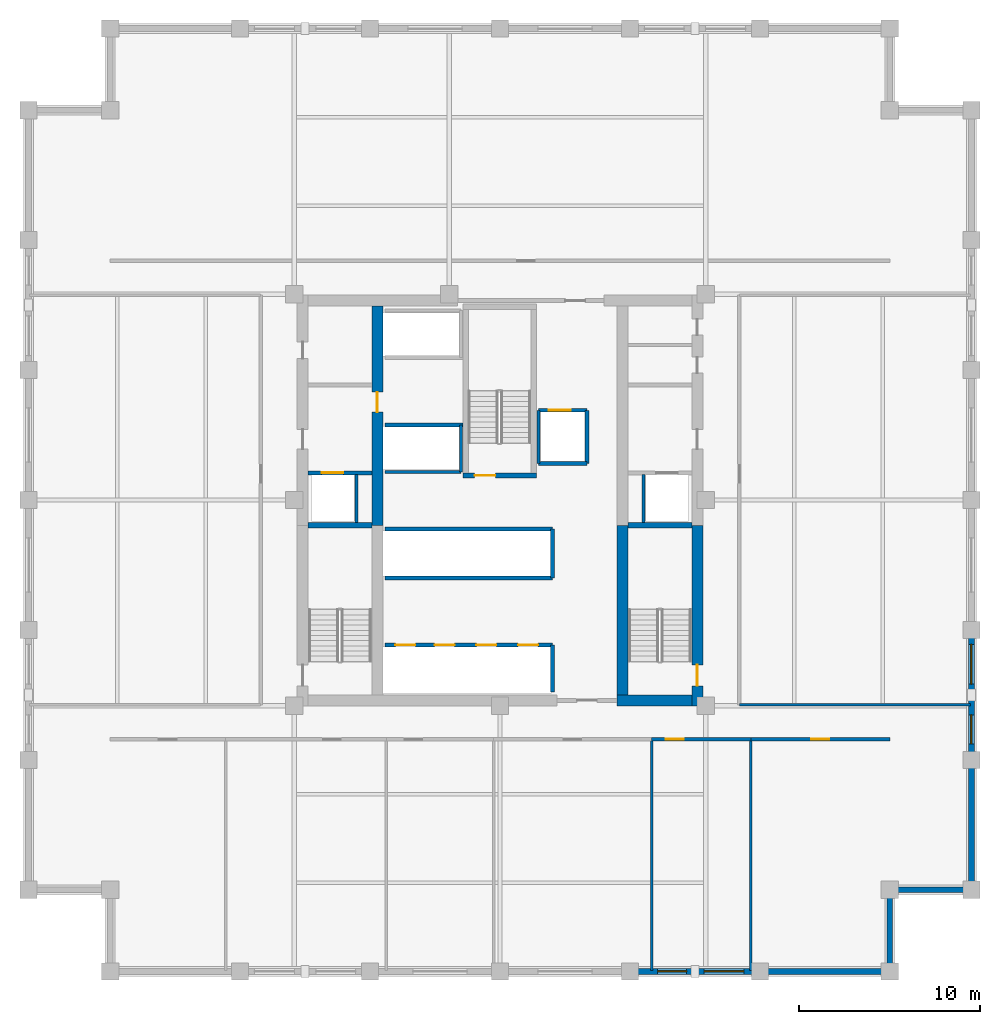
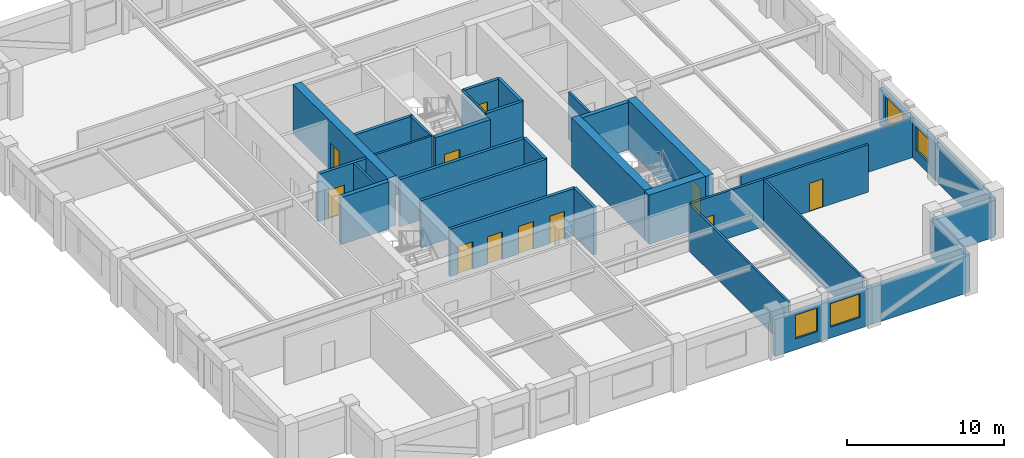
# One storey, part 3 of 6: 33 walls, 11 doors, 4 windows, 15 openings.
"""IFC4 building model written with IfcOpenShell, lengths in metres."""

from ifc_helpers import new_model, si_unit, direction, frame, frame_2d, origin, place, context, subcontext, project, spatial, rectangle, extrude, material, layer, layer_set, type_object, element, fill, save


model = new_model("IFC4")

# Units and contexts
model_context = context("Model", 3, precision=1e-05, world=origin(), true_north=direction((0.0, 1.0)))
body_context = subcontext(model_context, "Body", "Model", "MODEL_VIEW")
ifc_project = project(units=[si_unit("LENGTHUNIT", "METRE"), si_unit("AREAUNIT", "SQUARE_METRE"), si_unit("VOLUMEUNIT", "CUBIC_METRE"), si_unit("PLANEANGLEUNIT", "RADIAN"), si_unit("MASSUNIT", "GRAM", prefix="KILO")], contexts=[model_context])

# Site, building, storey
site_placement = place(None, origin())
site = spatial("IfcSite", under=ifc_project, at=site_placement, CompositionType="ELEMENT")
building_placement = place(site_placement, origin())
building = spatial("IfcBuilding", under=site, at=building_placement, Name="Nhamokura Convention Tower", CompositionType="ELEMENT")
storey_placement = place(building_placement, frame((0.0, 0.0, 160.64990234375)))
storey = spatial("IfcBuildingStorey", under=building, at=storey_placement, Name="L39", CompositionType="ELEMENT", Elevation=160.64990234375)

# Wall, openings, windows
ifc_material_1 = material(Name="Bronze-pigmented precast concrete C45/55", Category="concrete")
ifc_layer_1 = layer(ifc_material_1, 0.320068359375)
ifc_layer_set_1 = layer_set([ifc_layer_1], Name="BronzePrecastSpandrel_320")
wall_type_1 = type_object("IfcWallType", Name="BronzePrecastSpandrel_320", PredefinedType="USERDEFINED", material=ifc_layer_set_1)
wall_1_placement = place(storey_placement, frame((46.333251953125, 6.0, 0.0), z_axis=(0.0, 0.0, 1.0), x_axis=(-1.0, 0.0, 0.0)))
wall_1 = element("IfcWall", 1, at=wall_1_placement, inside=storey, type_object=wall_type_1, Name="L39 Masonry-Frame Wall SOUTH 4", ObjectType="SPANDREL_WALL", PredefinedType="USERDEFINED", context=body_context, shape_type="SweptSolid", body=[
    extrude(rectangle(XDim=7.16650390625, YDim=0.320068359375, at=frame_2d((3.583251953125, 0.0))), origin(), (0.0, 0.0, 1.0), 2.885009765625),
])
opening_1_placement = place(wall_1_placement, frame((0.879150390625, 0.0, 0.85009765625)))
opening_1 = element("IfcOpeningElement", 2, at=opening_1_placement, cuts=wall_1, Name="Opening W-06", PredefinedType="OPENING", context=body_context, shape_type="SweptSolid", body=[
    extrude(rectangle(XDim=2.199951171875, YDim=1.8349609375, at=frame_2d((1.10009765625, 0.91748046875))), frame((0.0, 0.169921875, 0.0), z_axis=(0.0, -1.0, 0.0), x_axis=(1.0, 0.0, 0.0)), (0.0, 0.0, 1.0), 0.340087890625),
])
opening_2_placement = place(wall_1_placement, frame((4.03759765625, 0.0, 0.85009765625)))
opening_2 = element("IfcOpeningElement", 3, at=opening_2_placement, cuts=wall_1, Name="Opening W-11", PredefinedType="OPENING", context=body_context, shape_type="SweptSolid", body=[
    extrude(rectangle(XDim=1.60009765625, YDim=1.8349609375, at=frame_2d((0.800048828125, 0.91748046875))), frame((0.0, 0.169921875, 0.0), z_axis=(0.0, -1.0, 0.0), x_axis=(1.0, 0.0, 0.0)), (0.0, 0.0, 1.0), 0.340087890625),
])
ifc_material_2 = material(Name="Solar-control bronze low-E double glass", Category="glass")
window_type_1 = type_object("IfcWindowType", Name="NotchCornerWindow_1600", PartitioningType="SINGLE_PANEL", PredefinedType="WINDOW", material=ifc_material_2)
window_1_placement = place(opening_2_placement, origin())
window_1 = element("IfcWindow", 4, at=window_1_placement, inside=storey, type_object=window_type_1, Name="L39 Facade Window SOUTH 4-2", OverallHeight=1.8349609375, OverallWidth=1.60009765625, PartitioningType="SINGLE_PANEL", PredefinedType="WINDOW", context=body_context, shape_type="SweptSolid", body=[
    extrude(rectangle(XDim=1.60009765625, YDim=1.8349609375, at=frame_2d((0.800048828125, 0.91748046875))), frame((0.0, 0.030029296875, 0.0), z_axis=(0.0, -1.0, 0.0), x_axis=(1.0, 0.0, 0.0)), (0.0, 0.0, 1.0), 0.06005859375),
])
fill(opening_2, window_1)
ifc_material_3 = material(Name="Solar-control bronze low-E double glass", Category="glass")
window_type_2 = type_object("IfcWindowType", Name="OfficeModuleWindow_Z2_2200", PartitioningType="SINGLE_PANEL", PredefinedType="WINDOW", material=ifc_material_3)
window_2_placement = place(opening_1_placement, origin())
window_2 = element("IfcWindow", 5, at=window_2_placement, inside=storey, type_object=window_type_2, Name="L39 Facade Window SOUTH 4-1", OverallHeight=1.8349609375, OverallWidth=2.199951171875, PartitioningType="SINGLE_PANEL", PredefinedType="WINDOW", context=body_context, shape_type="SweptSolid", body=[
    extrude(rectangle(XDim=2.199951171875, YDim=1.8349609375, at=frame_2d((1.10009765625, 0.91748046875))), frame((0.0, 0.030029296875, 0.0), z_axis=(0.0, -1.0, 0.0), x_axis=(1.0, 0.0, 0.0)), (0.0, 0.0, 1.0), 0.06005859375),
])
fill(opening_1, window_2)

# Walls
for number, where, z_axis, x_axis, name in (
    (6, (53.5, 6.0, 0.0), (0.0, 0.0, 1.0), (-1.0, 0.0, 0.0), "L39 Braced-Bay Precast Wall SOUTH 5"),
    (7, (58.0, 17.666748046875, 0.0), (0.0, 0.0, 1.0), (0.0, -1.0, 0.0), "L39 Braced-Bay Precast Wall EAST 0"),
):
    element("IfcWall", number, at=place(storey_placement, frame(where, z_axis=z_axis, x_axis=x_axis)), inside=storey, type_object=wall_type_1, Name=name, ObjectType="SPANDREL_WALL", PredefinedType="USERDEFINED", context=body_context, shape_type="SweptSolid", body=[
        extrude(rectangle(XDim=7.166748046875, YDim=0.320068359375, at=frame_2d((3.58349609375, 0.0))), origin(), (0.0, 0.0, 1.0), 2.885009765625),
    ])

# Wall, openings, windows
wall_2_placement = place(storey_placement, frame((58.0, 24.833251953125, 0.0), z_axis=(0.0, 0.0, 1.0), x_axis=(0.0, -1.0, 0.0)))
wall_2 = element("IfcWall", 8, at=wall_2_placement, inside=storey, type_object=wall_type_1, Name="L39 Masonry-Frame Wall EAST 1", ObjectType="SPANDREL_WALL", PredefinedType="USERDEFINED", context=body_context, shape_type="SweptSolid", body=[
    extrude(rectangle(XDim=7.16650390625, YDim=0.320068359375, at=frame_2d((3.583251953125, 0.0))), origin(), (0.0, 0.0, 1.0), 2.885009765625),
])
opening_3_placement = place(wall_2_placement, frame((0.791748046875, 0.0, 0.85009765625)))
opening_3 = element("IfcOpeningElement", 9, at=opening_3_placement, cuts=wall_2, Name="Opening W-06", PredefinedType="OPENING", context=body_context, shape_type="SweptSolid", body=[
    extrude(rectangle(XDim=2.199951171875, YDim=1.8349609375, at=frame_2d((1.10009765625, 0.91748046875))), frame((0.0, 0.169921875, 0.0), z_axis=(0.0, -1.0, 0.0), x_axis=(1.0, 0.0, 0.0)), (0.0, 0.0, 1.0), 0.340087890625),
])
opening_4_placement = place(wall_2_placement, frame((4.6875, 0.0, 0.85009765625)))
opening_4 = element("IfcOpeningElement", 10, at=opening_4_placement, cuts=wall_2, Name="Opening W-11", PredefinedType="OPENING", context=body_context, shape_type="SweptSolid", body=[
    extrude(rectangle(XDim=1.60009765625, YDim=1.8349609375, at=frame_2d((0.800048828125, 0.91748046875))), frame((0.0, 0.169921875, 0.0), z_axis=(0.0, -1.0, 0.0), x_axis=(1.0, 0.0, 0.0)), (0.0, 0.0, 1.0), 0.340087890625),
])
window_3_placement = place(opening_4_placement, origin())
window_3 = element("IfcWindow", 11, at=window_3_placement, inside=storey, type_object=window_type_1, Name="L39 Facade Window EAST 1-2", OverallHeight=1.8349609375, OverallWidth=1.60009765625, PartitioningType="SINGLE_PANEL", PredefinedType="WINDOW", context=body_context, shape_type="SweptSolid", body=[
    extrude(rectangle(XDim=1.60009765625, YDim=1.8349609375, at=frame_2d((0.800048828125, 0.91748046875))), frame((0.0, 0.030029296875, 0.0), z_axis=(0.0, -1.0, 0.0), x_axis=(1.0, 0.0, 0.0)), (0.0, 0.0, 1.0), 0.06005859375),
])
fill(opening_4, window_3)
window_4_placement = place(opening_3_placement, origin())
window_4 = element("IfcWindow", 12, at=window_4_placement, inside=storey, type_object=window_type_2, Name="L39 Facade Window EAST 1-1", OverallHeight=1.8349609375, OverallWidth=2.199951171875, PartitioningType="SINGLE_PANEL", PredefinedType="WINDOW", context=body_context, shape_type="SweptSolid", body=[
    extrude(rectangle(XDim=2.199951171875, YDim=1.8349609375, at=frame_2d((1.10009765625, 0.91748046875))), frame((0.0, 0.030029296875, 0.0), z_axis=(0.0, -1.0, 0.0), x_axis=(1.0, 0.0, 0.0)), (0.0, 0.0, 1.0), 0.06005859375),
])
fill(opening_3, window_4)

# Walls
for number, where, z_axis, x_axis, name in (
    (13, (53.5, 10.5, 0.0), (0.0, 0.0, 1.0), (0.0, -1.0, 0.0), "L39 Notched Corner Wall SE1"),
    (14, (58.0, 10.5, 0.0), (0.0, 0.0, 1.0), (-1.0, 0.0, 0.0), "L39 Notched Corner Wall SE2"),
):
    element("IfcWall", number, at=place(storey_placement, frame(where, z_axis=z_axis, x_axis=x_axis)), inside=storey, type_object=wall_type_1, Name=name, ObjectType="SPANDREL_WALL", PredefinedType="USERDEFINED", context=body_context, shape_type="SweptSolid", body=[
        extrude(rectangle(XDim=4.5, YDim=0.320068359375, at=frame_2d((2.25, 0.0))), origin(), (0.0, 0.0, 1.0), 2.885009765625),
    ])

# Wall, opening, door
ifc_material_4 = material(Name="Concrete C60/75", Category="concrete")
ifc_layer_2 = layer(ifc_material_4, 0.60009765625)
ifc_layer_set_2 = layer_set([ifc_layer_2], Name="CoreShearWall_600")
wall_type_2 = type_object("IfcWallType", Name="CoreShearWall_600", PredefinedType="SHEAR", material=ifc_layer_set_2)
wall_3_placement = place(storey_placement, frame((42.889892578125, 20.64990234375, 0.0), z_axis=(0.0, 0.0, 1.0), x_axis=(0.0, 1.0, 0.0)))
wall_3 = element("IfcWall", 15, at=wall_3_placement, inside=storey, type_object=wall_type_2, Name="L39 Core Shear Wall CW-ES", PredefinedType="SHEAR", context=body_context, shape_type="SweptSolid", body=[
    extrude(rectangle(XDim=9.9501953125, YDim=0.60009765625, at=frame_2d((4.97509765625, 0.0))), origin(), (0.0, 0.0, 1.0), 3.85009765625),
])
opening_5_placement = place(wall_3_placement, frame((1.10009765625, 0.0, 0.0)))
opening_5 = element("IfcOpeningElement", 16, at=opening_5_placement, cuts=wall_3, Name="Opening D-04", PredefinedType="OPENING", context=body_context, shape_type="SweptSolid", body=[
    extrude(rectangle(XDim=1.14990234375, YDim=2.14990234375, at=frame_2d((0.574951171875, 1.074951171875))), frame((0.0, 0.31005859375, 0.0), z_axis=(0.0, -1.0, 0.0), x_axis=(1.0, 0.0, 0.0)), (0.0, 0.0, 1.0), 0.6201171875),
])
ifc_material_5 = material(Name="Fire-rated steel door", Category="steel")
door_type_1 = type_object("IfcDoorType", Name="StairSmokeDoor_1150", OperationType="NOTDEFINED", PredefinedType="DOOR", material=ifc_material_5)
door_1_placement = place(opening_5_placement, origin())
door_1 = element("IfcDoor", 17, at=door_1_placement, inside=storey, type_object=door_type_1, Name="L39 Core Door INT-L39-D-ST02", OperationType="SINGLE_SWING_RIGHT", OverallHeight=2.14990234375, OverallWidth=1.14990234375, PredefinedType="DOOR", context=body_context, shape_type="SweptSolid", body=[
    extrude(rectangle(XDim=1.14990234375, YDim=2.14990234375, at=frame_2d((0.574951171875, 1.074951171875))), frame((0.0, 0.02490234375, 0.0), z_axis=(0.0, -1.0, 0.0), x_axis=(1.0, 0.0, 0.0)), (0.0, 0.0, 1.0), 0.050048828125),
])
fill(opening_5, door_1)

# Wall
wall_4_placement = place(storey_placement, frame((38.449951171875, 20.949951171875, 0.0), z_axis=(0.0, 0.0, 1.0), x_axis=(1.0, 0.0, 0.0)))
element("IfcWall", 18, at=wall_4_placement, inside=storey, type_object=wall_type_2, Name="L39 Core Shear Wall CW-S2", PredefinedType="SHEAR", context=body_context, shape_type="SweptSolid", body=[
    extrude(rectangle(XDim=4.14013671875, YDim=0.60009765625, at=frame_2d((2.070068359375, 0.0))), origin(), (0.0, 0.0, 1.0), 3.85009765625),
])

# Wall, opening, door
wall_5_placement = place(storey_placement, frame((25.239990234375, 30.60009765625, 0.0), z_axis=(0.0, 0.0, 1.0), x_axis=(0.0, 1.0, 0.0)))
wall_5 = element("IfcWall", 19, at=wall_5_placement, inside=storey, type_object=wall_type_2, Name="L39 Core Shear Wall CW-IWN", PredefinedType="SHEAR", context=body_context, shape_type="SweptSolid", body=[
    extrude(rectangle(XDim=12.099853515625, YDim=0.60009765625, at=frame_2d((6.0498046875, 0.0))), origin(), (0.0, 0.0, 1.0), 3.85009765625),
])
opening_6_placement = place(wall_5_placement, frame((6.25, 0.0, 0.0)))
opening_6 = element("IfcOpeningElement", 20, at=opening_6_placement, cuts=wall_5, Name="Opening D-05", PredefinedType="OPENING", context=body_context, shape_type="SweptSolid", body=[
    extrude(rectangle(XDim=1.10009765625, YDim=2.14990234375, at=frame_2d((0.550048828125, 1.074951171875))), frame((0.0, 0.31005859375, 0.0), z_axis=(0.0, -1.0, 0.0), x_axis=(1.0, 0.0, 0.0)), (0.0, 0.0, 1.0), 0.6201171875),
])
ifc_material_6 = material(Name="Fire-rated steel door", Category="steel")
door_type_2 = type_object("IfcDoorType", Name="FireLobbyDoor_1100", OperationType="NOTDEFINED", PredefinedType="DOOR", material=ifc_material_6)
door_2_placement = place(opening_6_placement, origin())
door_2 = element("IfcDoor", 21, at=door_2_placement, inside=storey, type_object=door_type_2, Name="L39 Core Door INT-L39-D-B3LOB", OperationType="SINGLE_SWING_LEFT", OverallHeight=2.14990234375, OverallWidth=1.10009765625, PredefinedType="DOOR", context=body_context, shape_type="SweptSolid", body=[
    extrude(rectangle(XDim=1.10009765625, YDim=2.14990234375, at=frame_2d((0.550048828125, 1.074951171875))), frame((0.0, 0.02490234375, 0.0), z_axis=(0.0, -1.0, 0.0), x_axis=(1.0, 0.0, 0.0)), (0.0, 0.0, 1.0), 0.050048828125),
])
fill(opening_6, door_2)

# Wall
wall_6_placement = place(storey_placement, frame((38.760009765625, 21.25, 0.0), z_axis=(0.0, 0.0, 1.0), x_axis=(0.0, 1.0, 0.0)))
element("IfcWall", 22, at=wall_6_placement, inside=storey, type_object=wall_type_2, Name="L39 Core Shear Wall CW-IES", PredefinedType="SHEAR", context=body_context, shape_type="SweptSolid", body=[
    extrude(rectangle(XDim=9.35009765625, YDim=0.60009765625, at=frame_2d((4.675048828125, 0.0))), origin(), (0.0, 0.0, 1.0), 3.85009765625),
])

# Wall, opening, door
ifc_material_7 = material(Name="Fire-rated gypsum and masonry partition", Category="masonry")
ifc_layer_3 = layer(ifc_material_7, 0.179931640625)
ifc_layer_set_3 = layer_set([ifc_layer_3], Name="CorridorRatedWall_180")
wall_type_3 = type_object("IfcWallType", Name="CorridorRatedWall_180", PredefinedType="STANDARD", material=ifc_layer_set_3)
wall_7_placement = place(storey_placement, frame((40.36669921875, 18.800048828125, 0.0), z_axis=(0.0, 0.0, 1.0), x_axis=(1.0, 0.0, 0.0)))
wall_7 = element("IfcWall", 23, at=wall_7_placement, inside=storey, type_object=wall_type_3, Name="L39 Wall INT-L39-CW-S04", PredefinedType="STANDARD", context=body_context, shape_type="SweptSolid", body=[
    extrude(rectangle(XDim=5.466552734375, YDim=0.179931640625, at=frame_2d((2.7333984375, 0.0))), origin(), (0.0, 0.0, 1.0), 3.68505859375),
])
opening_7_placement = place(wall_7_placement, frame((0.783203125, 0.0, 0.0)))
opening_7 = element("IfcOpeningElement", 24, at=opening_7_placement, cuts=wall_7, Name="Opening D-08", PredefinedType="OPENING", context=body_context, shape_type="SweptSolid", body=[
    extrude(rectangle(XDim=0.97998046875, YDim=2.199951171875, at=frame_2d((0.489990234375, 1.10009765625))), frame((0.0, 0.099853515625, 0.0), z_axis=(0.0, -1.0, 0.0), x_axis=(1.0, 0.0, 0.0)), (0.0, 0.0, 1.0), 0.199951171875),
])
ifc_material_8 = material(Name="Solid oak hardwood", Category="wood")
door_type_3 = type_object("IfcDoorType", Name="OfficeEntryDoor_980", OperationType="NOTDEFINED", PredefinedType="DOOR", material=ifc_material_8)
door_3_placement = place(opening_7_placement, origin())
door_3 = element("IfcDoor", 25, at=door_3_placement, inside=storey, type_object=door_type_3, Name="L39 Newsroom Office S05 Door", OperationType="SINGLE_SWING_LEFT", OverallHeight=2.199951171875, OverallWidth=0.97998046875, PredefinedType="DOOR", context=body_context, shape_type="SweptSolid", body=[
    extrude(rectangle(XDim=0.97998046875, YDim=2.199951171875, at=frame_2d((0.489990234375, 1.10009765625))), frame((0.0, 0.02490234375, 0.0), z_axis=(0.0, -1.0, 0.0), x_axis=(1.0, 0.0, 0.0)), (0.0, 0.0, 1.0), 0.050048828125),
])
fill(opening_7, door_3)

wall_8_placement = place(storey_placement, frame((45.833251953125, 18.800048828125, 0.0), z_axis=(0.0, 0.0, 1.0), x_axis=(1.0, 0.0, 0.0)))
wall_8 = element("IfcWall", 26, at=wall_8_placement, inside=storey, type_object=wall_type_3, Name="L39 Wall INT-L39-CW-S05", PredefinedType="STANDARD", context=body_context, shape_type="SweptSolid", body=[
    extrude(rectangle(XDim=7.666748046875, YDim=0.179931640625, at=frame_2d((3.83349609375, 0.0))), origin(), (0.0, 0.0, 1.0), 3.68505859375),
])
opening_8_placement = place(wall_8_placement, frame((3.33349609375, 0.0, 0.0)))
opening_8 = element("IfcOpeningElement", 27, at=opening_8_placement, cuts=wall_8, Name="Opening D-08", PredefinedType="OPENING", context=body_context, shape_type="SweptSolid", body=[
    extrude(rectangle(XDim=0.97998046875, YDim=2.199951171875, at=frame_2d((0.489990234375, 1.10009765625))), frame((0.0, 0.099853515625, 0.0), z_axis=(0.0, -1.0, 0.0), x_axis=(1.0, 0.0, 0.0)), (0.0, 0.0, 1.0), 0.199951171875),
])
door_4_placement = place(opening_8_placement, origin())
door_4 = element("IfcDoor", 28, at=door_4_placement, inside=storey, type_object=door_type_3, Name="L39 Green Room Lounge S06 Door", OperationType="SINGLE_SWING_RIGHT", OverallHeight=2.199951171875, OverallWidth=0.97998046875, PredefinedType="DOOR", context=body_context, shape_type="SweptSolid", body=[
    extrude(rectangle(XDim=0.97998046875, YDim=2.199951171875, at=frame_2d((0.489990234375, 1.10009765625))), frame((0.0, 0.02490234375, 0.0), z_axis=(0.0, -1.0, 0.0), x_axis=(1.0, 0.0, 0.0)), (0.0, 0.0, 1.0), 0.050048828125),
])
fill(opening_8, door_4)

ifc_material_9 = material(Name="Autoclaved concrete blockwork", Category="masonry")
ifc_layer_4 = layer(ifc_material_9, 0.219970703125)
ifc_layer_set_4 = layer_set([ifc_layer_4], Name="FireLobbyWall_220")
wall_type_4 = type_object("IfcWallType", Name="FireLobbyWall_220", PredefinedType="STANDARD", material=ifc_layer_set_4)
wall_9_placement = place(storey_placement, frame((21.409912109375, 33.5, 0.0), z_axis=(0.0, 0.0, 1.0), x_axis=(1.0, 0.0, 0.0)))
wall_9 = element("IfcWall", 29, at=wall_9_placement, inside=storey, type_object=wall_type_4, Name="L39 Wall INT-L39-FFW-S", PredefinedType="STANDARD", context=body_context, shape_type="SweptSolid", body=[
    extrude(rectangle(XDim=3.530029296875, YDim=0.219970703125, at=frame_2d((1.76513671875, 0.0))), origin(), (0.0, 0.0, 1.0), 3.68505859375),
])
opening_9_placement = place(wall_9_placement, frame((0.75, 0.0, 0.0)))
opening_9 = element("IfcOpeningElement", 30, at=opening_9_placement, cuts=wall_9, Name="Opening LD-02", PredefinedType="OPENING", context=body_context, shape_type="SweptSolid", body=[
    extrude(rectangle(XDim=1.199951171875, YDim=2.199951171875, at=frame_2d((0.60009765625, 1.10009765625))), frame((0.0, 0.119873046875, 0.0), z_axis=(0.0, -1.0, 0.0), x_axis=(1.0, 0.0, 0.0)), (0.0, 0.0, 1.0), 0.239990234375),
])
ifc_material_10 = material(Name="Anodised bronze stainless steel", Category="steel")
door_type_4 = type_object("IfcDoorType", Name="LiftLandingDoor_FireService", OperationType="DOUBLE_DOOR_SLIDING", PredefinedType="DOOR", material=ifc_material_10)
door_5_placement = place(opening_9_placement, origin())
door_5 = element("IfcDoor", 31, at=door_5_placement, inside=storey, type_object=door_type_4, Name="L39 Firefighting Lift LF-01 Door", OperationType="DOUBLE_DOOR_SLIDING", OverallHeight=2.199951171875, OverallWidth=1.199951171875, PredefinedType="DOOR", context=body_context, shape_type="SweptSolid", body=[
    extrude(rectangle(XDim=1.199951171875, YDim=2.199951171875, at=frame_2d((0.60009765625, 1.10009765625))), frame((0.0, 0.02490234375, 0.0), z_axis=(0.0, -1.0, 0.0), x_axis=(1.0, 0.0, 0.0)), (0.0, 0.0, 1.0), 0.050048828125),
])
fill(opening_9, door_5)

# Wall, openings, doors
wall_10_placement = place(storey_placement, frame((25.64990234375, 24.0, 0.0), z_axis=(0.0, 0.0, 1.0), x_axis=(1.0, 0.0, 0.0)))
wall_10 = element("IfcWall", 32, at=wall_10_placement, inside=storey, type_object=wall_type_4, Name="L39 Wall INT-L39-B1N", PredefinedType="STANDARD", context=body_context, shape_type="SweptSolid", body=[
    extrude(rectangle(XDim=9.25, YDim=0.219970703125, at=frame_2d((4.625, 0.0))), origin(), (0.0, 0.0, 1.0), 3.68505859375),
])
opening_10_placement = place(wall_10_placement, frame((0.580078125, 0.0, 0.0)))
opening_10 = element("IfcOpeningElement", 33, at=opening_10_placement, cuts=wall_10, Name="Opening LD-01", PredefinedType="OPENING", context=body_context, shape_type="SweptSolid", body=[
    extrude(rectangle(XDim=1.10009765625, YDim=2.14990234375, at=frame_2d((0.550048828125, 1.074951171875))), frame((0.0, 0.119873046875, 0.0), z_axis=(0.0, -1.0, 0.0), x_axis=(1.0, 0.0, 0.0)), (0.0, 0.0, 1.0), 0.239990234375),
])
opening_11_placement = place(wall_10_placement, frame((2.75, 0.0, 0.0)))
opening_11 = element("IfcOpeningElement", 34, at=opening_11_placement, cuts=wall_10, Name="Opening LD-01", PredefinedType="OPENING", context=body_context, shape_type="SweptSolid", body=[
    extrude(rectangle(XDim=1.10009765625, YDim=2.14990234375, at=frame_2d((0.550048828125, 1.074951171875))), frame((0.0, 0.119873046875, 0.0), z_axis=(0.0, -1.0, 0.0), x_axis=(1.0, 0.0, 0.0)), (0.0, 0.0, 1.0), 0.239990234375),
])
opening_12_placement = place(wall_10_placement, frame((5.050048828125, 0.0, 0.0)))
opening_12 = element("IfcOpeningElement", 35, at=opening_12_placement, cuts=wall_10, Name="Opening LD-01", PredefinedType="OPENING", context=body_context, shape_type="SweptSolid", body=[
    extrude(rectangle(XDim=1.10009765625, YDim=2.14990234375, at=frame_2d((0.550048828125, 1.074951171875))), frame((0.0, 0.119873046875, 0.0), z_axis=(0.0, -1.0, 0.0), x_axis=(1.0, 0.0, 0.0)), (0.0, 0.0, 1.0), 0.239990234375),
])
opening_13_placement = place(wall_10_placement, frame((7.35009765625, 0.0, 0.0)))
opening_13 = element("IfcOpeningElement", 36, at=opening_13_placement, cuts=wall_10, Name="Opening LD-01", PredefinedType="OPENING", context=body_context, shape_type="SweptSolid", body=[
    extrude(rectangle(XDim=1.10009765625, YDim=2.14990234375, at=frame_2d((0.550048828125, 1.074951171875))), frame((0.0, 0.119873046875, 0.0), z_axis=(0.0, -1.0, 0.0), x_axis=(1.0, 0.0, 0.0)), (0.0, 0.0, 1.0), 0.239990234375),
])
ifc_material_11 = material(Name="Anodised bronze stainless steel", Category="steel")
door_type_5 = type_object("IfcDoorType", Name="LiftLandingDoor_Passenger", OperationType="DOUBLE_DOOR_SLIDING", PredefinedType="DOOR", material=ifc_material_11)
door_6_placement = place(opening_10_placement, origin())
door_6 = element("IfcDoor", 37, at=door_6_placement, inside=storey, type_object=door_type_5, Name="L39 Lift LP-01 Landing Door", OperationType="DOUBLE_DOOR_SLIDING", OverallHeight=2.14990234375, OverallWidth=1.10009765625, PredefinedType="DOOR", context=body_context, shape_type="SweptSolid", body=[
    extrude(rectangle(XDim=1.10009765625, YDim=2.14990234375, at=frame_2d((0.550048828125, 1.074951171875))), frame((0.0, 0.02490234375, 0.0), z_axis=(0.0, -1.0, 0.0), x_axis=(1.0, 0.0, 0.0)), (0.0, 0.0, 1.0), 0.050048828125),
])
fill(opening_10, door_6)
door_7_placement = place(opening_11_placement, origin())
door_7 = element("IfcDoor", 38, at=door_7_placement, inside=storey, type_object=door_type_5, Name="L39 Lift LP-02 Landing Door", OperationType="DOUBLE_DOOR_SLIDING", OverallHeight=2.14990234375, OverallWidth=1.10009765625, PredefinedType="DOOR", context=body_context, shape_type="SweptSolid", body=[
    extrude(rectangle(XDim=1.10009765625, YDim=2.14990234375, at=frame_2d((0.550048828125, 1.074951171875))), frame((0.0, 0.02490234375, 0.0), z_axis=(0.0, -1.0, 0.0), x_axis=(1.0, 0.0, 0.0)), (0.0, 0.0, 1.0), 0.050048828125),
])
fill(opening_11, door_7)
door_8_placement = place(opening_12_placement, origin())
door_8 = element("IfcDoor", 39, at=door_8_placement, inside=storey, type_object=door_type_5, Name="L39 Lift LP-03 Landing Door", OperationType="DOUBLE_DOOR_SLIDING", OverallHeight=2.14990234375, OverallWidth=1.10009765625, PredefinedType="DOOR", context=body_context, shape_type="SweptSolid", body=[
    extrude(rectangle(XDim=1.10009765625, YDim=2.14990234375, at=frame_2d((0.550048828125, 1.074951171875))), frame((0.0, 0.02490234375, 0.0), z_axis=(0.0, -1.0, 0.0), x_axis=(1.0, 0.0, 0.0)), (0.0, 0.0, 1.0), 0.050048828125),
])
fill(opening_12, door_8)
door_9_placement = place(opening_13_placement, origin())
door_9 = element("IfcDoor", 40, at=door_9_placement, inside=storey, type_object=door_type_5, Name="L39 Lift LP-04 Landing Door", OperationType="DOUBLE_DOOR_SLIDING", OverallHeight=2.14990234375, OverallWidth=1.10009765625, PredefinedType="DOOR", context=body_context, shape_type="SweptSolid", body=[
    extrude(rectangle(XDim=1.10009765625, YDim=2.14990234375, at=frame_2d((0.550048828125, 1.074951171875))), frame((0.0, 0.02490234375, 0.0), z_axis=(0.0, -1.0, 0.0), x_axis=(1.0, 0.0, 0.0)), (0.0, 0.0, 1.0), 0.050048828125),
])
fill(opening_13, door_9)

# Walls
wall_11_placement = place(storey_placement, frame((34.89990234375, 21.39990234375, 0.0), z_axis=(0.0, 0.0, 1.0), x_axis=(0.0, 1.0, 0.0)))
element("IfcWall", 41, at=wall_11_placement, inside=storey, type_object=wall_type_4, Name="L39 Wall INT-L39-B1E", PredefinedType="STANDARD", context=body_context, shape_type="SweptSolid", body=[
    extrude(rectangle(XDim=2.60009765625, YDim=0.219970703125, at=frame_2d((1.300048828125, 0.0))), origin(), (0.0, 0.0, 1.0), 3.68505859375),
])
for number, where, z_axis, x_axis, name in (
    (42, (25.64990234375, 27.699951171875, 0.0), (0.0, 0.0, 1.0), (1.0, 0.0, 0.0), "L39 Wall INT-L39-B2S"),
    (43, (25.64990234375, 30.39990234375, 0.0), (0.0, 0.0, 1.0), (1.0, 0.0, 0.0), "L39 Wall INT-L39-B2N"),
):
    element("IfcWall", number, at=place(storey_placement, frame(where, z_axis=z_axis, x_axis=x_axis)), inside=storey, type_object=wall_type_4, Name=name, PredefinedType="STANDARD", context=body_context, shape_type="SweptSolid", body=[
        extrude(rectangle(XDim=9.25, YDim=0.219970703125, at=frame_2d((4.625, 0.0))), origin(), (0.0, 0.0, 1.0), 3.68505859375),
    ])
wall_12_placement = place(storey_placement, frame((34.89990234375, 27.699951171875, 0.0), z_axis=(0.0, 0.0, 1.0), x_axis=(0.0, 1.0, 0.0)))
element("IfcWall", 44, at=wall_12_placement, inside=storey, type_object=wall_type_4, Name="L39 Wall INT-L39-B2E", PredefinedType="STANDARD", context=body_context, shape_type="SweptSolid", body=[
    extrude(rectangle(XDim=2.699951171875, YDim=0.219970703125, at=frame_2d((1.35009765625, 0.0))), origin(), (0.0, 0.0, 1.0), 3.68505859375),
])
wall_13_placement = place(storey_placement, frame((25.64990234375, 36.14990234375, 0.0), z_axis=(0.0, 0.0, 1.0), x_axis=(1.0, 0.0, 0.0)))
element("IfcWall", 45, at=wall_13_placement, inside=storey, type_object=wall_type_4, Name="L39 Wall INT-L39-B3S", PredefinedType="STANDARD", context=body_context, shape_type="SweptSolid", body=[
    extrude(rectangle(XDim=4.300048828125, YDim=0.219970703125, at=frame_2d((2.14990234375, 0.0))), origin(), (0.0, 0.0, 1.0), 3.68505859375),
])

# Wall, opening, door
wall_14_placement = place(storey_placement, frame((34.1201171875, 36.949951171875, 0.0), z_axis=(0.0, 0.0, 1.0), x_axis=(1.0, 0.0, 0.0)))
wall_14 = element("IfcWall", 46, at=wall_14_placement, inside=storey, type_object=wall_type_4, Name="L39 Wall INT-L39-LSN", PredefinedType="STANDARD", context=body_context, shape_type="SweptSolid", body=[
    extrude(rectangle(XDim=2.679931640625, YDim=0.219970703125, at=frame_2d((1.33984375, 0.0))), origin(), (0.0, 0.0, 1.0), 3.68505859375),
])
opening_14_placement = place(wall_14_placement, frame((0.580078125, 0.0, 0.0)))
opening_14 = element("IfcOpeningElement", 47, at=opening_14_placement, cuts=wall_14, Name="Opening LD-02", PredefinedType="OPENING", context=body_context, shape_type="SweptSolid", body=[
    extrude(rectangle(XDim=1.199951171875, YDim=2.199951171875, at=frame_2d((0.60009765625, 1.10009765625))), frame((0.0, 0.119873046875, 0.0), z_axis=(0.0, -1.0, 0.0), x_axis=(1.0, 0.0, 0.0)), (0.0, 0.0, 1.0), 0.239990234375),
])
door_10_placement = place(opening_14_placement, origin())
door_10 = element("IfcDoor", 48, at=door_10_placement, inside=storey, type_object=door_type_4, Name="L39 Service Lift LS-01 Door", OperationType="DOUBLE_DOOR_SLIDING", OverallHeight=2.199951171875, OverallWidth=1.199951171875, PredefinedType="DOOR", context=body_context, shape_type="SweptSolid", body=[
    extrude(rectangle(XDim=1.199951171875, YDim=2.199951171875, at=frame_2d((0.60009765625, 1.10009765625))), frame((0.0, 0.02490234375, 0.0), z_axis=(0.0, -1.0, 0.0), x_axis=(1.0, 0.0, 0.0)), (0.0, 0.0, 1.0), 0.050048828125),
])
fill(opening_14, door_10)

# Walls
wall_15_placement = place(storey_placement, frame((36.800048828125, 34.02001953125, 0.0), z_axis=(0.0, 0.0, 1.0), x_axis=(0.0, 1.0, 0.0)))
element("IfcWall", 49, at=wall_15_placement, inside=storey, type_object=wall_type_4, Name="L39 Wall INT-L39-LSE", PredefinedType="STANDARD", context=body_context, shape_type="SweptSolid", body=[
    extrude(rectangle(XDim=2.929931640625, YDim=0.219970703125, at=frame_2d((1.46484375, 0.0))), origin(), (0.0, 0.0, 1.0), 3.68505859375),
])
wall_16_placement = place(storey_placement, frame((34.1201171875, 34.02001953125, 0.0), z_axis=(0.0, 0.0, 1.0), x_axis=(1.0, 0.0, 0.0)))
element("IfcWall", 50, at=wall_16_placement, inside=storey, type_object=wall_type_4, Name="L39 Wall INT-L39-LSS", PredefinedType="STANDARD", context=body_context, shape_type="SweptSolid", body=[
    extrude(rectangle(XDim=2.679931640625, YDim=0.219970703125, at=frame_2d((1.33984375, 0.0))), origin(), (0.0, 0.0, 1.0), 3.68505859375),
])
ifc_material_12 = material(Name="Acoustic gypsum stud partition", Category="masonry")
ifc_layer_5 = layer(ifc_material_12, 0.14990234375)
ifc_layer_set_5 = layer_set([ifc_layer_5], Name="InteriorPartition_150")
wall_type_5 = type_object("IfcWallType", Name="InteriorPartition_150", PredefinedType="STANDARD", material=ifc_layer_set_5)
for number, where, z_axis, x_axis, name in (
    (51, (24.080078125, 30.75, 0.0), (0.0, 0.0, 1.0), (0.0, 1.0, 0.0), "L39 Wall INT-L39-FF1-E"),
    (52, (39.919921875, 30.75, 0.0), (0.0, 0.0, 1.0), (0.0, 1.0, 0.0), "L39 Wall INT-L39-FF2-W"),
):
    element("IfcWall", number, at=place(storey_placement, frame(where, z_axis=z_axis, x_axis=x_axis)), inside=storey, type_object=wall_type_5, Name=name, PredefinedType="STANDARD", context=body_context, shape_type="SweptSolid", body=[
        extrude(rectangle(XDim=2.64990234375, YDim=0.14990234375, at=frame_2d((1.324951171875, 0.0))), origin(), (0.0, 0.0, 1.0), 3.68505859375),
    ])
wall_17_placement = place(storey_placement, frame((25.64990234375, 33.550048828125, 0.0), z_axis=(0.0, 0.0, 1.0), x_axis=(1.0, 0.0, 0.0)))
element("IfcWall", 53, at=wall_17_placement, inside=storey, type_object=wall_type_5, Name="L39 Wall INT-L39-B3A-S", PredefinedType="STANDARD", context=body_context, shape_type="SweptSolid", body=[
    extrude(rectangle(XDim=4.2001953125, YDim=0.14990234375, at=frame_2d((2.10009765625, 0.0))), origin(), (0.0, 0.0, 1.0), 3.68505859375),
])
wall_18_placement = place(storey_placement, frame((29.85009765625, 33.550048828125, 0.0), z_axis=(0.0, 0.0, 1.0), x_axis=(0.0, 1.0, 0.0)))
element("IfcWall", 54, at=wall_18_placement, inside=storey, type_object=wall_type_5, Name="L39 Wall INT-L39-B3A-E", PredefinedType="STANDARD", context=body_context, shape_type="SweptSolid", body=[
    extrude(rectangle(XDim=2.599853515625, YDim=0.14990234375, at=frame_2d((1.2998046875, 0.0))), origin(), (0.0, 0.0, 1.0), 3.68505859375),
])
wall_19_placement = place(storey_placement, frame((34.1201171875, 34.02001953125, 0.0), z_axis=(0.0, 0.0, 1.0), x_axis=(0.0, 1.0, 0.0)))
element("IfcWall", 55, at=wall_19_placement, inside=storey, type_object=wall_type_5, Name="L39 Wall INT-L39-LSW", PredefinedType="STANDARD", context=body_context, shape_type="SweptSolid", body=[
    extrude(rectangle(XDim=2.929931640625, YDim=0.14990234375, at=frame_2d((1.46484375, 0.0))), origin(), (0.0, 0.0, 1.0), 3.68505859375),
])
for number, where, z_axis, x_axis, name in (
    (56, (40.36669921875, 6.06005859375, 0.0), (0.0, 0.0, 1.0), (0.0, 1.0, 0.0), "L39 Wall INT-L39-RW-S04"),
    (57, (45.833251953125, 6.06005859375, 0.0), (0.0, 0.0, 1.0), (0.0, 1.0, 0.0), "L39 Wall INT-L39-RW-S05"),
):
    element("IfcWall", number, at=place(storey_placement, frame(where, z_axis=z_axis, x_axis=x_axis)), inside=storey, type_object=wall_type_5, Name=name, PredefinedType="STANDARD", context=body_context, shape_type="SweptSolid", body=[
        extrude(rectangle(XDim=12.739990234375, YDim=0.14990234375, at=frame_2d((6.3701171875, 0.0))), origin(), (0.0, 0.0, 1.0), 3.68505859375),
    ])
wall_20_placement = place(storey_placement, frame((45.199951171875, 20.699951171875, 0.0), z_axis=(0.0, 0.0, 1.0), x_axis=(1.0, 0.0, 0.0)))
element("IfcWall", 58, at=wall_20_placement, inside=storey, type_object=wall_type_5, Name="L39 Wall INT-L39-RWB-E", PredefinedType="STANDARD", context=body_context, shape_type="SweptSolid", body=[
    extrude(rectangle(XDim=12.739990234375, YDim=0.14990234375, at=frame_2d((6.3701171875, 0.0))), origin(), (0.0, 0.0, 1.0), 3.065185546875),
])
ifc_material_13 = material(Name="Concrete C50/60", Category="concrete")
ifc_layer_6 = layer(ifc_material_13, 0.300048828125)
ifc_layer_set_6 = layer_set([ifc_layer_6], Name="ShaftEnclosureWall_300")
wall_type_6 = type_object("IfcWallType", Name="ShaftEnclosureWall_300", PredefinedType="SHEAR", material=ifc_layer_set_6)
for number, where, z_axis, x_axis, name in (
    (59, (21.409912109375, 30.60009765625, 0.0), (0.0, 0.0, 1.0), (1.0, 0.0, 0.0), "L39 Wall INT-L39-ST01-N"),
    (60, (39.06005859375, 30.60009765625, 0.0), (0.0, 0.0, 1.0), (1.0, 0.0, 0.0), "L39 Wall INT-L39-ST02-N"),
):
    element("IfcWall", number, at=place(storey_placement, frame(where, z_axis=z_axis, x_axis=x_axis)), inside=storey, type_object=wall_type_6, Name=name, PredefinedType="SHEAR", context=body_context, shape_type="SweptSolid", body=[
        extrude(rectangle(XDim=3.530029296875, YDim=0.300048828125, at=frame_2d((1.76513671875, 0.0))), origin(), (0.0, 0.0, 1.0), 3.68505859375),
    ])

# Wall, opening, door
wall_21_placement = place(storey_placement, frame((29.949951171875, 33.35009765625, 0.0), z_axis=(0.0, 0.0, 1.0), x_axis=(1.0, 0.0, 0.0)))
wall_21 = element("IfcWall", 61, at=wall_21_placement, inside=storey, type_object=wall_type_6, Name="L39 Wall INT-L39-ST03S", PredefinedType="SHEAR", context=body_context, shape_type="SweptSolid", body=[
    extrude(rectangle(XDim=4.050048828125, YDim=0.300048828125, at=frame_2d((2.02490234375, 0.0))), origin(), (0.0, 0.0, 1.0), 3.68505859375),
])
opening_15_placement = place(wall_21_placement, frame((0.64990234375, 0.0, 0.0)))
opening_15 = element("IfcOpeningElement", 62, at=opening_15_placement, cuts=wall_21, Name="Opening D-04", PredefinedType="OPENING", context=body_context, shape_type="SweptSolid", body=[
    extrude(rectangle(XDim=1.14990234375, YDim=2.14990234375, at=frame_2d((0.574951171875, 1.074951171875))), frame((0.0, 0.159912109375, 0.0), z_axis=(0.0, -1.0, 0.0), x_axis=(1.0, 0.0, 0.0)), (0.0, 0.0, 1.0), 0.320068359375),
])
door_11_placement = place(opening_15_placement, origin())
door_11 = element("IfcDoor", 63, at=door_11_placement, inside=storey, type_object=door_type_1, Name="L39 Stair ST-03 Smoke Door", OperationType="SINGLE_SWING_LEFT", OverallHeight=2.14990234375, OverallWidth=1.14990234375, PredefinedType="DOOR", context=body_context, shape_type="SweptSolid", body=[
    extrude(rectangle(XDim=1.14990234375, YDim=2.14990234375, at=frame_2d((0.574951171875, 1.074951171875))), frame((0.0, 0.02490234375, 0.0), z_axis=(0.0, -1.0, 0.0), x_axis=(1.0, 0.0, 0.0)), (0.0, 0.0, 1.0), 0.050048828125),
])
fill(opening_15, door_11)

save(model, "model.ifc")
